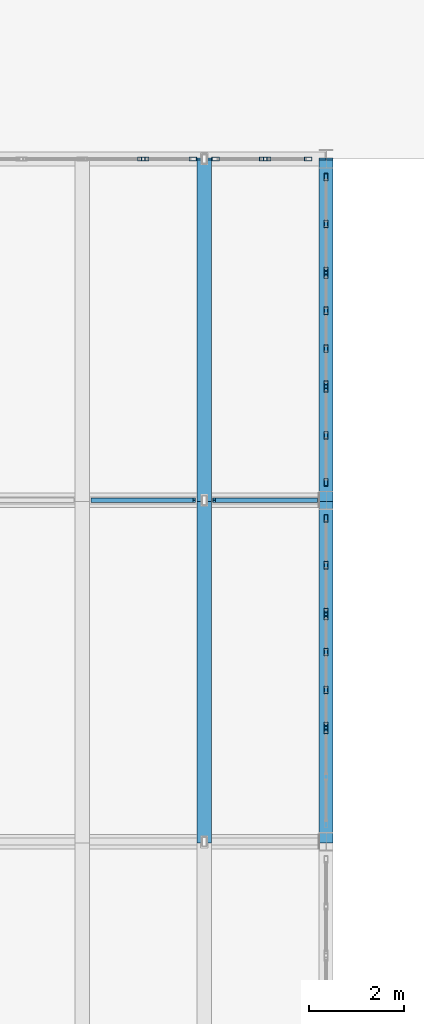
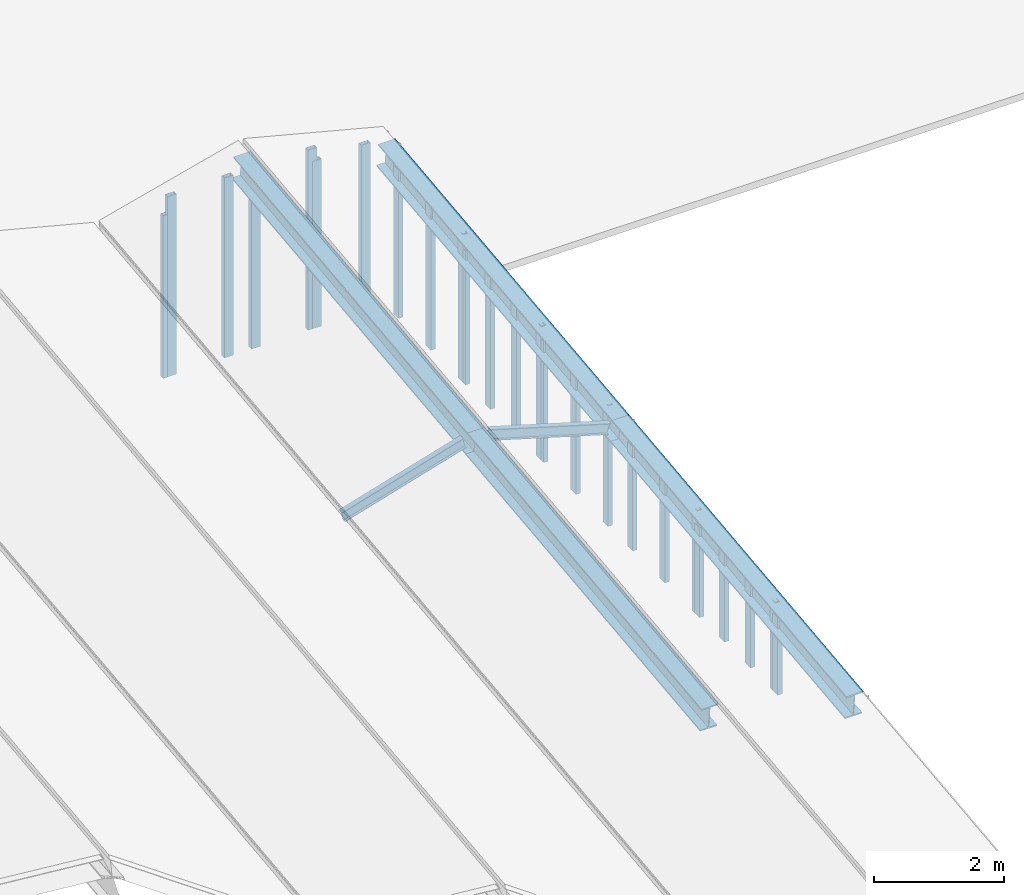
# One storey, part 11 of 39: 27 members, 4 beams, 10 elements without a shape of their own.
"""IFC4 building model written with IfcOpenShell, lengths in metres."""

from ifc_helpers import new_model, si_unit, direction, frame, origin, origin_2d, place, context, subcontext, project, spatial, hollow_rectangle, i_section, extrude, material, layer, layer_set, material_profile, profile_set, type_object, element, aggregate, save


model = new_model("IFC4")

# Units and contexts
model_context = context("Model", 3, precision=1e-05, world=origin(), true_north=direction((0.0, 1.0)))
body_context = subcontext(model_context, "Body", "Model", "MODEL_VIEW")
ifc_project = project(units=[si_unit("LENGTHUNIT", "METRE"), si_unit("AREAUNIT", "SQUARE_METRE"), si_unit("VOLUMEUNIT", "CUBIC_METRE"), si_unit("PLANEANGLEUNIT", "RADIAN"), si_unit("MASSUNIT", "GRAM", prefix="KILO"), si_unit("THERMODYNAMICTEMPERATUREUNIT", "KELVIN"), si_unit("POWERUNIT", "WATT")], contexts=[model_context])

# Site, building, storey
site_placement = place(None, origin())
site = spatial("IfcSite", under=ifc_project, at=site_placement, CompositionType="ELEMENT")
building_placement = place(site_placement, origin())
building = spatial("IfcBuilding", under=site, at=building_placement, Name="Kaldorven Railside Theatre", CompositionType="ELEMENT")
storey_placement = place(building_placement, frame((0.0, 0.0, 27.300048828125)))
storey = spatial("IfcBuildingStorey", under=building, at=storey_placement, Name="ROOF", CompositionType="ELEMENT", Elevation=27.300048828125)

# Beams
ifc_material_1 = material(Name="Steel S355", Category="steel")
ifc_material_profile_1 = material_profile(ifc_material_1, i_section(OverallWidth=0.300048828125, OverallDepth=0.449951171875, WebThickness=0.013916015625, FlangeThickness=0.02587890625, at=origin_2d()), Name="HEB 450")
ifc_profile_set_1 = profile_set([ifc_material_profile_1], Name="Steel S355")
beam_type = type_object("IfcBeamType", Name="BM-HEB450", PredefinedType="BEAM", material=ifc_profile_set_1)
beam_1_placement = place(storey_placement, frame((120.62841796875, 98.39990234375, 1.8701171875), z_axis=(0.0, 0.993580147592, 0.113130412845), x_axis=(-1.0, 0.0, 0.0)))
element("IfcBeam", 1, at=beam_1_placement, inside=storey, type_object=beam_type, Name="V2 Folded-Plate Ridge Girder RB-153", PredefinedType="BEAM", context=body_context, shape_type="SweptSolid", body=[
    extrude(i_section(OverallWidth=0.300048828125, OverallDepth=0.449951171875, WebThickness=0.013916015625, FlangeThickness=0.02587890625, at=origin_2d()), origin(), (0.0, 0.0, 1.0), 7.246826171875),
])
beam_2_placement = place(storey_placement, frame((120.62841796875, 105.60009765625, 2.68994140625), z_axis=(0.0, 0.993575928723, 0.11316745938), x_axis=(-1.0, 0.0, 0.0)))
element("IfcBeam", 2, at=beam_2_placement, inside=storey, type_object=beam_type, Name="V2 Folded-Plate Ridge Girder RB-154", PredefinedType="BEAM", context=body_context, shape_type="SweptSolid", body=[
    extrude(i_section(OverallWidth=0.300048828125, OverallDepth=0.449951171875, WebThickness=0.013916015625, FlangeThickness=0.02587890625, at=origin_2d()), origin(), (0.0, 0.0, 1.0), 7.24658203125),
])
beam_3_placement = place(storey_placement, frame((123.199951171875, 98.39990234375, 1.205078125), z_axis=(0.0, 0.993576360175, 0.113163671295), x_axis=(-1.0, 0.0, 0.0)))
element("IfcBeam", 3, at=beam_3_placement, inside=storey, type_object=beam_type, Name="V2 Folded-Plate Valley Girder VB-157", PredefinedType="BEAM", context=body_context, shape_type="SweptSolid", body=[
    extrude(i_section(OverallWidth=0.300048828125, OverallDepth=0.449951171875, WebThickness=0.013916015625, FlangeThickness=0.02587890625, at=origin_2d()), origin(), (0.0, 0.0, 1.0), 7.246826171875),
])
beam_4_placement = place(storey_placement, frame((123.199951171875, 105.60009765625, 2.025146484375), z_axis=(0.0, 0.993579716392, 0.113134199846), x_axis=(-1.0, 0.0, 0.0)))
element("IfcBeam", 4, at=beam_4_placement, inside=storey, type_object=beam_type, Name="V2 Folded-Plate Valley Girder VB-158", PredefinedType="BEAM", context=body_context, shape_type="SweptSolid", body=[
    extrude(i_section(OverallWidth=0.300048828125, OverallDepth=0.449951171875, WebThickness=0.013916015625, FlangeThickness=0.02587890625, at=origin_2d()), origin(), (0.0, 0.0, 1.0), 7.24658203125),
])

# Curtain wall, member
ifc_material_2 = material(Name="Low-E laminated solar-control glass", Category="glass")
ifc_layer_1 = layer(ifc_material_2, 0.159912109375, Name="Low-E laminated solar-control glass")
ifc_layer_set_1 = layer_set([ifc_layer_1], Name="Low-E laminated solar-control glass")
curtain_wall_type_1 = type_object("IfcCurtainWallType", Name="CWT-49", PredefinedType="USERDEFINED", material=ifc_layer_set_1)
curtain_wall_1_placement = place(storey_placement, origin())
curtain_wall_1 = element("IfcCurtainWall", 5, at=curtain_wall_1_placement, inside=storey, type_object=curtain_wall_type_1, Name="Fly-Tower North Crown Clerestory CWG-087", ObjectType="FLUTED GLAZING", PredefinedType="USERDEFINED")
ifc_material_3 = material(Name="Anodised bronze aluminium", Category="aluminium")
ifc_material_profile_2 = material_profile(ifc_material_3, hollow_rectangle(XDim=0.080078125, YDim=0.159912109375, WallThickness=0.00634765625, at=origin_2d()), Name="RHS 160x80x6.3")
ifc_profile_set_2 = profile_set([ifc_material_profile_2], Name="Anodised bronze aluminium")
member_type_1 = type_object("IfcMemberType", Name="CWM-160", PredefinedType="MULLION", material=ifc_profile_set_2)
member_1_placement = place(storey_placement, frame((119.302978515625, 112.800048828125, 0.02001953125), z_axis=(0.0, 0.0, 1.0), x_axis=(0.0, 1.0, 0.0)))
member_1 = element("IfcMember", 6, at=member_1_placement, type_object=member_type_1, Name="CWG-087 mullion 2", PredefinedType="MULLION", context=body_context, shape_type="SweptSolid", body=[
    extrude(hollow_rectangle(XDim=0.080078125, YDim=0.159912109375, WallThickness=0.00634765625, at=origin_2d()), origin(), (0.0, 0.0, 1.0), 3.050048828125),
])
aggregate(curtain_wall_1, [member_1])

# Curtain wall, members
ifc_layer_2 = layer(ifc_material_2, 0.159912109375, Name="Low-E laminated solar-control glass")
ifc_layer_set_2 = layer_set([ifc_layer_2], Name="Low-E laminated solar-control glass")
curtain_wall_type_2 = type_object("IfcCurtainWallType", Name="CWT-48", PredefinedType="USERDEFINED", material=ifc_layer_set_2)
curtain_wall_2_placement = place(storey_placement, origin())
curtain_wall_2 = element("IfcCurtainWall", 7, at=curtain_wall_2_placement, inside=storey, type_object=curtain_wall_type_2, Name="Fly-Tower North Crown Clerestory CWG-088", ObjectType="FLUTED GLAZING", PredefinedType="USERDEFINED")
member_2_placement = place(storey_placement, frame((119.3828125, 112.800048828125, 0.02001953125), z_axis=(0.0, 0.0, 1.0), x_axis=(0.0, 1.0, 0.0)))
member_2 = element("IfcMember", 8, at=member_2_placement, type_object=member_type_1, Name="CWG-088 mullion 1", PredefinedType="MULLION", context=body_context, shape_type="SweptSolid", body=[
    extrude(hollow_rectangle(XDim=0.080078125, YDim=0.159912109375, WallThickness=0.00634765625, at=origin_2d()), origin(), (0.0, 0.0, 1.0), 3.3798828125),
])
member_3_placement = place(storey_placement, frame((120.388427734375, 112.800048828125, 0.02001953125), z_axis=(0.0, 0.0, 1.0), x_axis=(0.0, 1.0, 0.0)))
member_3 = element("IfcMember", 9, at=member_3_placement, type_object=member_type_1, Name="CWG-088 mullion 2", PredefinedType="MULLION", context=body_context, shape_type="SweptSolid", body=[
    extrude(hollow_rectangle(XDim=0.080078125, YDim=0.159912109375, WallThickness=0.00634765625, at=origin_2d()), origin(), (0.0, 0.0, 1.0), 3.3798828125),
])
aggregate(curtain_wall_2, [member_2, member_3])

curtain_wall_3_placement = place(storey_placement, origin())
curtain_wall_3 = element("IfcCurtainWall", 10, at=curtain_wall_3_placement, inside=storey, type_object=curtain_wall_type_2, Name="Fly-Tower North Crown Clerestory CWG-089", ObjectType="FLUTED GLAZING", PredefinedType="USERDEFINED")
member_4_placement = place(storey_placement, frame((120.868408203125, 112.800048828125, 0.02001953125), z_axis=(0.0, 0.0, 1.0), x_axis=(0.0, 1.0, 0.0)))
member_4 = element("IfcMember", 11, at=member_4_placement, type_object=member_type_1, Name="CWG-089 mullion 1", PredefinedType="MULLION", context=body_context, shape_type="SweptSolid", body=[
    extrude(hollow_rectangle(XDim=0.080078125, YDim=0.159912109375, WallThickness=0.00634765625, at=origin_2d()), origin(), (0.0, 0.0, 1.0), 3.3798828125),
])
member_5_placement = place(storey_placement, frame((121.874267578125, 112.800048828125, 0.02001953125), z_axis=(0.0, 0.0, 1.0), x_axis=(0.0, 1.0, 0.0)))
member_5 = element("IfcMember", 12, at=member_5_placement, type_object=member_type_1, Name="CWG-089 mullion 2", PredefinedType="MULLION", context=body_context, shape_type="SweptSolid", body=[
    extrude(hollow_rectangle(XDim=0.080078125, YDim=0.159912109375, WallThickness=0.00634765625, at=origin_2d()), origin(), (0.0, 0.0, 1.0), 3.3798828125),
])
aggregate(curtain_wall_3, [member_4, member_5])

ifc_layer_3 = layer(ifc_material_2, 0.159912109375, Name="Low-E laminated solar-control glass")
ifc_layer_set_3 = layer_set([ifc_layer_3], Name="Low-E laminated solar-control glass")
curtain_wall_type_3 = type_object("IfcCurtainWallType", Name="CWT-47", PredefinedType="USERDEFINED", material=ifc_layer_set_3)
curtain_wall_4_placement = place(storey_placement, origin())
curtain_wall_4 = element("IfcCurtainWall", 13, at=curtain_wall_4_placement, inside=storey, type_object=curtain_wall_type_3, Name="Fly-Tower North Crown Clerestory CWG-090", ObjectType="FLUTED GLAZING", PredefinedType="USERDEFINED")
member_6_placement = place(storey_placement, frame((121.954345703125, 112.800048828125, 0.02001953125), z_axis=(0.0, 0.0, 1.0), x_axis=(0.0, 1.0, 0.0)))
member_6 = element("IfcMember", 14, at=member_6_placement, type_object=member_type_1, Name="CWG-090 mullion 1", PredefinedType="MULLION", context=body_context, shape_type="SweptSolid", body=[
    extrude(hollow_rectangle(XDim=0.080078125, YDim=0.159912109375, WallThickness=0.00634765625, at=origin_2d()), origin(), (0.0, 0.0, 1.0), 3.139892578125),
])
member_7_placement = place(storey_placement, frame((122.820068359375, 112.800048828125, 0.02001953125), z_axis=(0.0, 0.0, 1.0), x_axis=(0.0, 1.0, 0.0)))
member_7 = element("IfcMember", 15, at=member_7_placement, type_object=member_type_1, Name="CWG-090 mullion 2", PredefinedType="MULLION", context=body_context, shape_type="SweptSolid", body=[
    extrude(hollow_rectangle(XDim=0.080078125, YDim=0.159912109375, WallThickness=0.00634765625, at=origin_2d()), origin(), (0.0, 0.0, 1.0), 3.139892578125),
])
aggregate(curtain_wall_4, [member_6, member_7])

# Curtain wall, member
ifc_layer_4 = layer(ifc_material_2, 0.159912109375, Name="Low-E laminated solar-control glass")
ifc_layer_set_4 = layer_set([ifc_layer_4], Name="Low-E laminated solar-control glass")
curtain_wall_type_4 = type_object("IfcCurtainWallType", Name="CWT-55", PredefinedType="USERDEFINED", material=ifc_layer_set_4)
curtain_wall_5_placement = place(storey_placement, origin())
curtain_wall_5 = element("IfcCurtainWall", 16, at=curtain_wall_5_placement, inside=storey, type_object=curtain_wall_type_4, Name="Fly-Tower East Crown Clerestory CWG-105", ObjectType="FLUTED GLAZING", PredefinedType="USERDEFINED")
member_8_placement = place(storey_placement, frame((123.199951171875, 100.760009765625, 0.02001953125), z_axis=(0.0, 0.0, 1.0), x_axis=(-1.0, 0.0, 0.0)))
member_8 = element("IfcMember", 17, at=member_8_placement, type_object=member_type_1, Name="CWG-105 mullion 3", PredefinedType="MULLION", context=body_context, shape_type="SweptSolid", body=[
    extrude(hollow_rectangle(XDim=0.080078125, YDim=0.159912109375, WallThickness=0.00634765625, at=origin_2d()), origin(), (0.0, 0.0, 1.0), 1.449951171875),
])
aggregate(curtain_wall_5, [member_8])

# Curtain wall, members
ifc_layer_5 = layer(ifc_material_2, 0.159912109375, Name="Low-E laminated solar-control glass")
ifc_layer_set_5 = layer_set([ifc_layer_5], Name="Low-E laminated solar-control glass")
curtain_wall_type_5 = type_object("IfcCurtainWallType", Name="CWT-56", PredefinedType="USERDEFINED", material=ifc_layer_set_5)
curtain_wall_6_placement = place(storey_placement, origin())
curtain_wall_6 = element("IfcCurtainWall", 18, at=curtain_wall_6_placement, inside=storey, type_object=curtain_wall_type_5, Name="Fly-Tower East Crown Clerestory CWG-106", ObjectType="FLUTED GLAZING", PredefinedType="USERDEFINED")
member_9_placement = place(storey_placement, frame((123.199951171875, 100.840087890625, 0.02001953125), z_axis=(0.0, 0.0, 1.0), x_axis=(-1.0, 0.0, 0.0)))
member_9 = element("IfcMember", 19, at=member_9_placement, type_object=member_type_1, Name="CWG-106 mullion 1", PredefinedType="MULLION", context=body_context, shape_type="SweptSolid", body=[
    extrude(hollow_rectangle(XDim=0.080078125, YDim=0.159912109375, WallThickness=0.00634765625, at=origin_2d()), origin(), (0.0, 0.0, 1.0), 1.68994140625),
])
member_10_placement = place(storey_placement, frame((123.199951171875, 101.60009765625, 0.02001953125), z_axis=(0.0, 0.0, 1.0), x_axis=(-1.0, 0.0, 0.0)))
member_10 = element("IfcMember", 20, at=member_10_placement, type_object=member_type_1, Name="CWG-106 mullion 2", PredefinedType="MULLION", context=body_context, shape_type="SweptSolid", body=[
    extrude(hollow_rectangle(XDim=0.080078125, YDim=0.159912109375, WallThickness=0.00634765625, at=origin_2d()), origin(), (0.0, 0.0, 1.0), 1.68994140625),
])
member_11_placement = place(storey_placement, frame((123.199951171875, 102.39990234375, 0.02001953125), z_axis=(0.0, 0.0, 1.0), x_axis=(-1.0, 0.0, 0.0)))
member_11 = element("IfcMember", 21, at=member_11_placement, type_object=member_type_1, Name="CWG-106 mullion 3", PredefinedType="MULLION", context=body_context, shape_type="SweptSolid", body=[
    extrude(hollow_rectangle(XDim=0.080078125, YDim=0.159912109375, WallThickness=0.00634765625, at=origin_2d()), origin(), (0.0, 0.0, 1.0), 1.68994140625),
])
member_12_placement = place(storey_placement, frame((123.199951171875, 103.159912109375, 0.02001953125), z_axis=(0.0, 0.0, 1.0), x_axis=(-1.0, 0.0, 0.0)))
member_12 = element("IfcMember", 22, at=member_12_placement, type_object=member_type_1, Name="CWG-106 mullion 4", PredefinedType="MULLION", context=body_context, shape_type="SweptSolid", body=[
    extrude(hollow_rectangle(XDim=0.080078125, YDim=0.159912109375, WallThickness=0.00634765625, at=origin_2d()), origin(), (0.0, 0.0, 1.0), 1.68994140625),
])
aggregate(curtain_wall_6, [member_9, member_10, member_11, member_12])

ifc_layer_6 = layer(ifc_material_2, 0.159912109375, Name="Low-E laminated solar-control glass")
ifc_layer_set_6 = layer_set([ifc_layer_6], Name="Low-E laminated solar-control glass")
curtain_wall_type_6 = type_object("IfcCurtainWallType", Name="CWT-57", PredefinedType="USERDEFINED", material=ifc_layer_set_6)
curtain_wall_7_placement = place(storey_placement, origin())
curtain_wall_7 = element("IfcCurtainWall", 23, at=curtain_wall_7_placement, inside=storey, type_object=curtain_wall_type_6, Name="Fly-Tower East Crown Clerestory CWG-107", ObjectType="FLUTED GLAZING", PredefinedType="USERDEFINED")
member_13_placement = place(storey_placement, frame((123.199951171875, 103.239990234375, 0.02001953125), z_axis=(0.0, 0.0, 1.0), x_axis=(-1.0, 0.0, 0.0)))
member_13 = element("IfcMember", 24, at=member_13_placement, type_object=member_type_1, Name="CWG-107 mullion 1", PredefinedType="MULLION", context=body_context, shape_type="SweptSolid", body=[
    extrude(hollow_rectangle(XDim=0.080078125, YDim=0.159912109375, WallThickness=0.00634765625, at=origin_2d()), origin(), (0.0, 0.0, 1.0), 1.9599609375),
])
member_14_placement = place(storey_placement, frame((123.199951171875, 104.22998046875, 0.02001953125), z_axis=(0.0, 0.0, 1.0), x_axis=(-1.0, 0.0, 0.0)))
member_14 = element("IfcMember", 25, at=member_14_placement, type_object=member_type_1, Name="CWG-107 mullion 2", PredefinedType="MULLION", context=body_context, shape_type="SweptSolid", body=[
    extrude(hollow_rectangle(XDim=0.080078125, YDim=0.159912109375, WallThickness=0.00634765625, at=origin_2d()), origin(), (0.0, 0.0, 1.0), 1.9599609375),
])
member_15_placement = place(storey_placement, frame((123.199951171875, 105.219970703125, 0.02001953125), z_axis=(0.0, 0.0, 1.0), x_axis=(-1.0, 0.0, 0.0)))
member_15 = element("IfcMember", 26, at=member_15_placement, type_object=member_type_1, Name="CWG-107 mullion 3", PredefinedType="MULLION", context=body_context, shape_type="SweptSolid", body=[
    extrude(hollow_rectangle(XDim=0.080078125, YDim=0.159912109375, WallThickness=0.00634765625, at=origin_2d()), origin(), (0.0, 0.0, 1.0), 1.9599609375),
])
aggregate(curtain_wall_7, [member_13, member_14, member_15])

ifc_layer_7 = layer(ifc_material_2, 0.159912109375, Name="Low-E laminated solar-control glass")
ifc_layer_set_7 = layer_set([ifc_layer_7], Name="Low-E laminated solar-control glass")
curtain_wall_type_7 = type_object("IfcCurtainWallType", Name="CWT-58", PredefinedType="USERDEFINED", material=ifc_layer_set_7)
curtain_wall_8_placement = place(storey_placement, origin())
curtain_wall_8 = element("IfcCurtainWall", 27, at=curtain_wall_8_placement, inside=storey, type_object=curtain_wall_type_7, Name="Fly-Tower East Crown Clerestory CWG-108", ObjectType="FLUTED GLAZING", PredefinedType="USERDEFINED")
member_16_placement = place(storey_placement, frame((123.199951171875, 105.97998046875, 0.02001953125), z_axis=(0.0, 0.0, 1.0), x_axis=(-1.0, 0.0, 0.0)))
member_16 = element("IfcMember", 28, at=member_16_placement, type_object=member_type_1, Name="CWG-108 mullion 1", PredefinedType="MULLION", context=body_context, shape_type="SweptSolid", body=[
    extrude(hollow_rectangle(XDim=0.080078125, YDim=0.159912109375, WallThickness=0.00634765625, at=origin_2d()), origin(), (0.0, 0.0, 1.0), 2.27001953125),
])
member_17_placement = place(storey_placement, frame((123.199951171875, 106.969970703125, 0.02001953125), z_axis=(0.0, 0.0, 1.0), x_axis=(-1.0, 0.0, 0.0)))
member_17 = element("IfcMember", 29, at=member_17_placement, type_object=member_type_1, Name="CWG-108 mullion 2", PredefinedType="MULLION", context=body_context, shape_type="SweptSolid", body=[
    extrude(hollow_rectangle(XDim=0.080078125, YDim=0.159912109375, WallThickness=0.00634765625, at=origin_2d()), origin(), (0.0, 0.0, 1.0), 2.27001953125),
])
member_18_placement = place(storey_placement, frame((123.199951171875, 107.9599609375, 0.02001953125), z_axis=(0.0, 0.0, 1.0), x_axis=(-1.0, 0.0, 0.0)))
member_18 = element("IfcMember", 30, at=member_18_placement, type_object=member_type_1, Name="CWG-108 mullion 3", PredefinedType="MULLION", context=body_context, shape_type="SweptSolid", body=[
    extrude(hollow_rectangle(XDim=0.080078125, YDim=0.159912109375, WallThickness=0.00634765625, at=origin_2d()), origin(), (0.0, 0.0, 1.0), 2.27001953125),
])
aggregate(curtain_wall_8, [member_16, member_17, member_18])

ifc_layer_8 = layer(ifc_material_2, 0.159912109375, Name="Low-E laminated solar-control glass")
ifc_layer_set_8 = layer_set([ifc_layer_8], Name="Low-E laminated solar-control glass")
curtain_wall_type_8 = type_object("IfcCurtainWallType", Name="CWT-33", PredefinedType="USERDEFINED", material=ifc_layer_set_8)
curtain_wall_9_placement = place(storey_placement, origin())
curtain_wall_9 = element("IfcCurtainWall", 31, at=curtain_wall_9_placement, inside=storey, type_object=curtain_wall_type_8, Name="Fly-Tower East Crown Clerestory CWG-109", ObjectType="FLUTED GLAZING", PredefinedType="USERDEFINED")
member_19_placement = place(storey_placement, frame((123.199951171875, 108.0400390625, 0.02001953125), z_axis=(0.0, 0.0, 1.0), x_axis=(-1.0, 0.0, 0.0)))
member_19 = element("IfcMember", 32, at=member_19_placement, type_object=member_type_1, Name="CWG-109 mullion 1", PredefinedType="MULLION", context=body_context, shape_type="SweptSolid", body=[
    extrude(hollow_rectangle(XDim=0.080078125, YDim=0.159912109375, WallThickness=0.00634765625, at=origin_2d()), origin(), (0.0, 0.0, 1.0), 2.510009765625),
])
member_20_placement = place(storey_placement, frame((123.199951171875, 108.800048828125, 0.02001953125), z_axis=(0.0, 0.0, 1.0), x_axis=(-1.0, 0.0, 0.0)))
member_20 = element("IfcMember", 33, at=member_20_placement, type_object=member_type_1, Name="CWG-109 mullion 2", PredefinedType="MULLION", context=body_context, shape_type="SweptSolid", body=[
    extrude(hollow_rectangle(XDim=0.080078125, YDim=0.159912109375, WallThickness=0.00634765625, at=origin_2d()), origin(), (0.0, 0.0, 1.0), 2.510009765625),
])
member_21_placement = place(storey_placement, frame((123.199951171875, 109.60009765625, 0.02001953125), z_axis=(0.0, 0.0, 1.0), x_axis=(-1.0, 0.0, 0.0)))
member_21 = element("IfcMember", 34, at=member_21_placement, type_object=member_type_1, Name="CWG-109 mullion 3", PredefinedType="MULLION", context=body_context, shape_type="SweptSolid", body=[
    extrude(hollow_rectangle(XDim=0.080078125, YDim=0.159912109375, WallThickness=0.00634765625, at=origin_2d()), origin(), (0.0, 0.0, 1.0), 2.510009765625),
])
member_22_placement = place(storey_placement, frame((123.199951171875, 110.360107421875, 0.02001953125), z_axis=(0.0, 0.0, 1.0), x_axis=(-1.0, 0.0, 0.0)))
member_22 = element("IfcMember", 35, at=member_22_placement, type_object=member_type_1, Name="CWG-109 mullion 4", PredefinedType="MULLION", context=body_context, shape_type="SweptSolid", body=[
    extrude(hollow_rectangle(XDim=0.080078125, YDim=0.159912109375, WallThickness=0.00634765625, at=origin_2d()), origin(), (0.0, 0.0, 1.0), 2.510009765625),
])
aggregate(curtain_wall_9, [member_19, member_20, member_21, member_22])

ifc_layer_9 = layer(ifc_material_2, 0.159912109375, Name="Low-E laminated solar-control glass")
ifc_layer_set_9 = layer_set([ifc_layer_9], Name="Low-E laminated solar-control glass")
curtain_wall_type_9 = type_object("IfcCurtainWallType", Name="CWT-59", PredefinedType="USERDEFINED", material=ifc_layer_set_9)
curtain_wall_10_placement = place(storey_placement, origin())
curtain_wall_10 = element("IfcCurtainWall", 36, at=curtain_wall_10_placement, inside=storey, type_object=curtain_wall_type_9, Name="Fly-Tower East Crown Clerestory CWG-110", ObjectType="FLUTED GLAZING", PredefinedType="USERDEFINED")
member_23_placement = place(storey_placement, frame((123.199951171875, 110.43994140625, 0.02001953125), z_axis=(0.0, 0.0, 1.0), x_axis=(-1.0, 0.0, 0.0)))
member_23 = element("IfcMember", 37, at=member_23_placement, type_object=member_type_1, Name="CWG-110 mullion 1", PredefinedType="MULLION", context=body_context, shape_type="SweptSolid", body=[
    extrude(hollow_rectangle(XDim=0.080078125, YDim=0.159912109375, WallThickness=0.00634765625, at=origin_2d()), origin(), (0.0, 0.0, 1.0), 2.780029296875),
])
member_24_placement = place(storey_placement, frame((123.199951171875, 111.429931640625, 0.02001953125), z_axis=(0.0, 0.0, 1.0), x_axis=(-1.0, 0.0, 0.0)))
member_24 = element("IfcMember", 38, at=member_24_placement, type_object=member_type_1, Name="CWG-110 mullion 2", PredefinedType="MULLION", context=body_context, shape_type="SweptSolid", body=[
    extrude(hollow_rectangle(XDim=0.080078125, YDim=0.159912109375, WallThickness=0.00634765625, at=origin_2d()), origin(), (0.0, 0.0, 1.0), 2.780029296875),
])
member_25_placement = place(storey_placement, frame((123.199951171875, 112.419921875, 0.02001953125), z_axis=(0.0, 0.0, 1.0), x_axis=(-1.0, 0.0, 0.0)))
member_25 = element("IfcMember", 39, at=member_25_placement, type_object=member_type_1, Name="CWG-110 mullion 3", PredefinedType="MULLION", context=body_context, shape_type="SweptSolid", body=[
    extrude(hollow_rectangle(XDim=0.080078125, YDim=0.159912109375, WallThickness=0.00634765625, at=origin_2d()), origin(), (0.0, 0.0, 1.0), 2.780029296875),
])
aggregate(curtain_wall_10, [member_23, member_24, member_25])

# Members
ifc_material_profile_3 = material_profile(ifc_material_1, i_section(OverallWidth=0.10009765625, OverallDepth=0.199951171875, WebThickness=0.005615234375, FlangeThickness=0.008544921875, at=origin_2d()), Name="IPE 200")
ifc_profile_set_3 = profile_set([ifc_material_profile_3], Name="Steel S355")
member_type_2 = type_object("IfcMemberType", Name="MEM-IPE200", PredefinedType="PURLIN", material=ifc_profile_set_3)
member_26_placement = place(storey_placement, frame((118.26513671875, 105.60009765625, 2.119384765625), z_axis=(0.958582036806, 0.0, 0.284816570292), x_axis=(0.0, 1.0, 0.0)))
element("IfcMember", 40, at=member_26_placement, inside=storey, type_object=member_type_2, Name="V2 Folded-Roof Transverse Purlin PRL-054", PredefinedType="PURLIN", context=body_context, shape_type="SweptSolid", body=[
    extrude(i_section(OverallWidth=0.10009765625, OverallDepth=0.199951171875, WebThickness=0.005615234375, FlangeThickness=0.008544921875, at=origin_2d()), origin(), (0.0, 0.0, 1.0), 2.248291015625),
])
member_27_placement = place(storey_placement, frame((120.83642578125, 105.60009765625, 2.759765625), z_axis=(0.95859084384, 0.0, -0.284786927556), x_axis=(0.0, 1.0, 0.0)))
element("IfcMember", 41, at=member_27_placement, inside=storey, type_object=member_type_2, Name="V2 Folded-Roof Transverse Purlin PRL-056", PredefinedType="PURLIN", context=body_context, shape_type="SweptSolid", body=[
    extrude(i_section(OverallWidth=0.10009765625, OverallDepth=0.199951171875, WebThickness=0.005615234375, FlangeThickness=0.008544921875, at=origin_2d()), origin(), (0.0, 0.0, 1.0), 2.24853515625),
])

save(model, "model.ifc")
